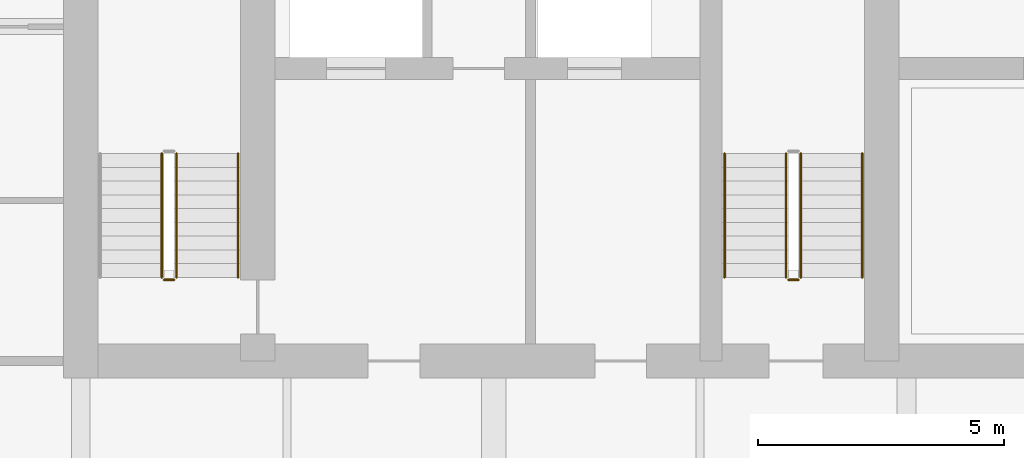
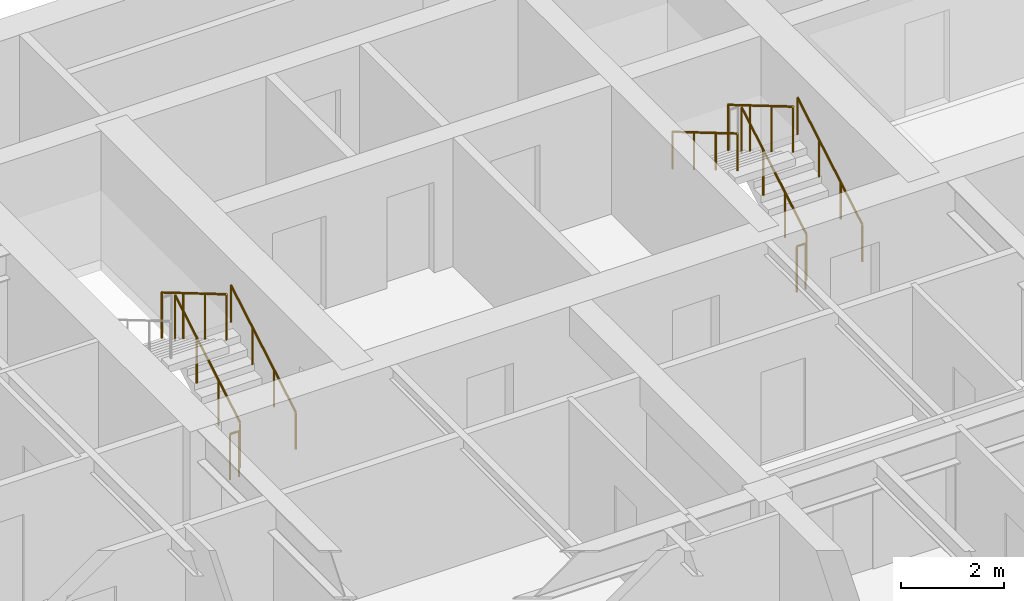
# One storey, part 13 of 17: 9 railings.
"""IFC4 building model written with IfcOpenShell, lengths in metres."""

from ifc_helpers import new_model, si_unit, direction, frame, origin, origin_2d, place, context, subcontext, project, spatial, circle, extrude, material, type_object, element, save


model = new_model("IFC4")

# Units and contexts
model_context = context("Model", 3, precision=1e-05, world=origin(), true_north=direction((0.0, 1.0)))
body_context = subcontext(model_context, "Body", "Model", "MODEL_VIEW")
ifc_project = project(units=[si_unit("LENGTHUNIT", "METRE"), si_unit("AREAUNIT", "SQUARE_METRE"), si_unit("VOLUMEUNIT", "CUBIC_METRE"), si_unit("PLANEANGLEUNIT", "RADIAN"), si_unit("MASSUNIT", "GRAM", prefix="KILO")], contexts=[model_context])

# Site, building, storey
site_placement = place(None, origin())
site = spatial("IfcSite", under=ifc_project, at=site_placement, CompositionType="ELEMENT")
building_placement = place(site_placement, origin())
building = spatial("IfcBuilding", under=site, at=building_placement, Name="Caelmar Bay Residences", CompositionType="ELEMENT")
storey_placement = place(building_placement, frame((0.0, 0.0, 236.39990234375)))
storey = spatial("IfcBuildingStorey", under=building, at=storey_placement, Name="L66", CompositionType="ELEMENT", Elevation=236.39990234375)

# Railings
ifc_material_1 = material(Name="Painted galvanized steel stair guard 1100 mm", Category="steel")
railing_type_1 = type_object("IfcRailingType", Name="RL-GRD-1100", PredefinedType="GUARDRAIL", material=ifc_material_1)
railing_1_placement = place(storey_placement, frame((20.25, 38.699951171875, 0.1650390625)))
element("IfcRailing", 1, at=railing_1_placement, inside=storey, type_object=railing_type_1, Name="L66 ST1 stair guard 1", PredefinedType="GUARDRAIL", context=body_context, shape_type="SweptSolid", body=[
    extrude(circle(Radius=0.02392578125, at=origin_2d()), frame((0.0, 0.0, 1.076171875), z_axis=(0.0, 0.86152411907, 0.507716645641), x_axis=(-1.0, 0.0, 0.0)), (0.0, 0.0, 1.0), 2.925048828125),
    extrude(circle(Radius=0.02099609375, at=origin_2d()), origin(), (0.0, 0.0, 1.0), 1.052001953125),
    extrude(circle(Radius=0.02099609375, at=origin_2d()), frame((0.0, 0.840087890625, 0.4951171875)), (0.0, 0.0, 1.0), 1.052001953125),
    extrude(circle(Radius=0.02099609375, at=origin_2d()), frame((0.0, 1.679931640625, 0.989990234375)), (0.0, 0.0, 1.0), 1.052001953125),
    extrude(circle(Radius=0.02099609375, at=origin_2d()), frame((0.0, 2.52001953125, 1.485107421875)), (0.0, 0.0, 1.0), 1.052001953125),
])
railing_2_placement = place(storey_placement, frame((19.949951171875, 41.219970703125, 1.815185546875)))
element("IfcRailing", 2, at=railing_2_placement, inside=storey, type_object=railing_type_1, Name="L66 ST1 stair guard 3", PredefinedType="GUARDRAIL", context=body_context, shape_type="SweptSolid", body=[
    extrude(circle(Radius=0.02392578125, at=origin_2d()), frame((0.0, 0.0, 1.076171875), z_axis=(0.0, -0.861560626758, 0.507654692109), x_axis=(1.0, 0.0, 0.0)), (0.0, 0.0, 1.0), 2.925048828125),
    extrude(circle(Radius=0.02099609375, at=origin_2d()), origin(), (0.0, 0.0, 1.0), 1.052001953125),
    extrude(circle(Radius=0.02099609375, at=origin_2d()), frame((0.0, -0.840087890625, 0.494873046875)), (0.0, 0.0, 1.0), 1.052001953125),
    extrude(circle(Radius=0.02099609375, at=origin_2d()), frame((0.0, -1.679931640625, 0.989990234375)), (0.0, 0.0, 1.0), 1.052001953125),
    extrude(circle(Radius=0.02099609375, at=origin_2d()), frame((0.0, -2.52001953125, 1.48486328125)), (0.0, 0.0, 1.0), 1.052001953125),
])
railing_3_placement = place(storey_placement, frame((20.199951171875, 38.64990234375, 0.0)))
element("IfcRailing", 3, at=railing_3_placement, inside=storey, type_object=railing_type_1, Name="L66 ST1 stair guard 4", PredefinedType="GUARDRAIL", context=body_context, shape_type="SweptSolid", body=[
    extrude(circle(Radius=0.02392578125, at=origin_2d()), frame((0.0, 0.0, 1.076171875), z_axis=(-1.0, 0.0, 0.0), x_axis=(0.0, -1.0, 0.0)), (0.0, 0.0, 1.0), 0.199951171875),
    extrude(circle(Radius=0.02099609375, at=origin_2d()), origin(), (0.0, 0.0, 1.0), 1.052001953125),
    extrude(circle(Radius=0.02099609375, at=origin_2d()), frame((-0.199951171875, 0.0, 0.0)), (0.0, 0.0, 1.0), 1.052001953125),
])
railing_4_placement = place(storey_placement, frame((32.949951171875, 38.699951171875, 0.1650390625)))
element("IfcRailing", 4, at=railing_4_placement, inside=storey, type_object=railing_type_1, Name="L66 ST3 stair guard 1", PredefinedType="GUARDRAIL", context=body_context, shape_type="SweptSolid", body=[
    extrude(circle(Radius=0.02392578125, at=origin_2d()), frame((0.0, 0.0, 1.076171875), z_axis=(0.0, 0.86152411907, 0.507716645641), x_axis=(-1.0, 0.0, 0.0)), (0.0, 0.0, 1.0), 2.925048828125),
    extrude(circle(Radius=0.02099609375, at=origin_2d()), origin(), (0.0, 0.0, 1.0), 1.052001953125),
    extrude(circle(Radius=0.02099609375, at=origin_2d()), frame((0.0, 0.840087890625, 0.4951171875)), (0.0, 0.0, 1.0), 1.052001953125),
    extrude(circle(Radius=0.02099609375, at=origin_2d()), frame((0.0, 1.679931640625, 0.989990234375)), (0.0, 0.0, 1.0), 1.052001953125),
    extrude(circle(Radius=0.02099609375, at=origin_2d()), frame((0.0, 2.52001953125, 1.485107421875)), (0.0, 0.0, 1.0), 1.052001953125),
])
railing_5_placement = place(storey_placement, frame((32.64990234375, 41.219970703125, 1.815185546875)))
element("IfcRailing", 5, at=railing_5_placement, inside=storey, type_object=railing_type_1, Name="L66 ST3 stair guard 3", PredefinedType="GUARDRAIL", context=body_context, shape_type="SweptSolid", body=[
    extrude(circle(Radius=0.02392578125, at=origin_2d()), frame((0.0, 0.0, 1.076171875), z_axis=(0.0, -0.861560626758, 0.507654692109), x_axis=(1.0, 0.0, 0.0)), (0.0, 0.0, 1.0), 2.925048828125),
    extrude(circle(Radius=0.02099609375, at=origin_2d()), origin(), (0.0, 0.0, 1.0), 1.052001953125),
    extrude(circle(Radius=0.02099609375, at=origin_2d()), frame((0.0, -0.840087890625, 0.494873046875)), (0.0, 0.0, 1.0), 1.052001953125),
    extrude(circle(Radius=0.02099609375, at=origin_2d()), frame((0.0, -1.679931640625, 0.989990234375)), (0.0, 0.0, 1.0), 1.052001953125),
    extrude(circle(Radius=0.02099609375, at=origin_2d()), frame((0.0, -2.52001953125, 1.48486328125)), (0.0, 0.0, 1.0), 1.052001953125),
])
railing_6_placement = place(storey_placement, frame((32.89990234375, 38.64990234375, 0.0)))
element("IfcRailing", 6, at=railing_6_placement, inside=storey, type_object=railing_type_1, Name="L66 ST3 stair guard 4", PredefinedType="GUARDRAIL", context=body_context, shape_type="SweptSolid", body=[
    extrude(circle(Radius=0.02392578125, at=origin_2d()), frame((0.0, 0.0, 1.076171875), z_axis=(-1.0, 0.0, 0.0), x_axis=(0.0, -1.0, 0.0)), (0.0, 0.0, 1.0), 0.199951171875),
    extrude(circle(Radius=0.02099609375, at=origin_2d()), origin(), (0.0, 0.0, 1.0), 1.052001953125),
    extrude(circle(Radius=0.02099609375, at=origin_2d()), frame((-0.199951171875, 0.0, 0.0)), (0.0, 0.0, 1.0), 1.052001953125),
])
ifc_material_2 = material(Name="Brushed bronze stainless-steel tubular handrail 900 mm", Category="steel")
railing_type_2 = type_object("IfcRailingType", Name="RL-HND-900", PredefinedType="HANDRAIL", material=ifc_material_2)
for number, where, name in (
    (7, (21.5, 38.699951171875, 0.1650390625), "L66 ST1 stair handrail 1"),
    (8, (34.199951171875, 38.699951171875, 0.1650390625), "L66 ST3 stair handrail 1"),
):
    element("IfcRailing", number, at=place(storey_placement, frame(where)), inside=storey, type_object=railing_type_2, Name=name, PredefinedType="HANDRAIL", context=body_context, shape_type="SweptSolid", body=[
        extrude(circle(Radius=0.02392578125, at=origin_2d()), frame((0.0, 0.0, 0.8759765625), z_axis=(0.0, 0.86152411907, 0.507716645641), x_axis=(-1.0, 0.0, 0.0)), (0.0, 0.0, 1.0), 2.925048828125),
        extrude(circle(Radius=0.02099609375, at=origin_2d()), origin(), (0.0, 0.0, 1.0), 0.851806640625),
        extrude(circle(Radius=0.02099609375, at=origin_2d()), frame((0.0, 0.840087890625, 0.4951171875)), (0.0, 0.0, 1.0), 0.851806640625),
        extrude(circle(Radius=0.02099609375, at=origin_2d()), frame((0.0, 1.679931640625, 0.989990234375)), (0.0, 0.0, 1.0), 0.851806640625),
        extrude(circle(Radius=0.02099609375, at=origin_2d()), frame((0.0, 2.52001953125, 1.485107421875)), (0.0, 0.0, 1.0), 0.851806640625),
    ])
railing_7_placement = place(storey_placement, frame((31.39990234375, 41.219970703125, 1.815185546875)))
element("IfcRailing", 9, at=railing_7_placement, inside=storey, type_object=railing_type_2, Name="L66 ST3 stair handrail 2", PredefinedType="HANDRAIL", context=body_context, shape_type="SweptSolid", body=[
    extrude(circle(Radius=0.02392578125, at=origin_2d()), frame((0.0, 0.0, 0.8759765625), z_axis=(0.0, -0.861560626758, 0.507654692109), x_axis=(1.0, 0.0, 0.0)), (0.0, 0.0, 1.0), 2.925048828125),
    extrude(circle(Radius=0.02099609375, at=origin_2d()), origin(), (0.0, 0.0, 1.0), 0.851806640625),
    extrude(circle(Radius=0.02099609375, at=origin_2d()), frame((0.0, -0.840087890625, 0.494873046875)), (0.0, 0.0, 1.0), 0.851806640625),
    extrude(circle(Radius=0.02099609375, at=origin_2d()), frame((0.0, -1.679931640625, 0.989990234375)), (0.0, 0.0, 1.0), 0.851806640625),
    extrude(circle(Radius=0.02099609375, at=origin_2d()), frame((0.0, -2.52001953125, 1.48486328125)), (0.0, 0.0, 1.0), 0.851806640625),
])

save(model, "model.ifc")
